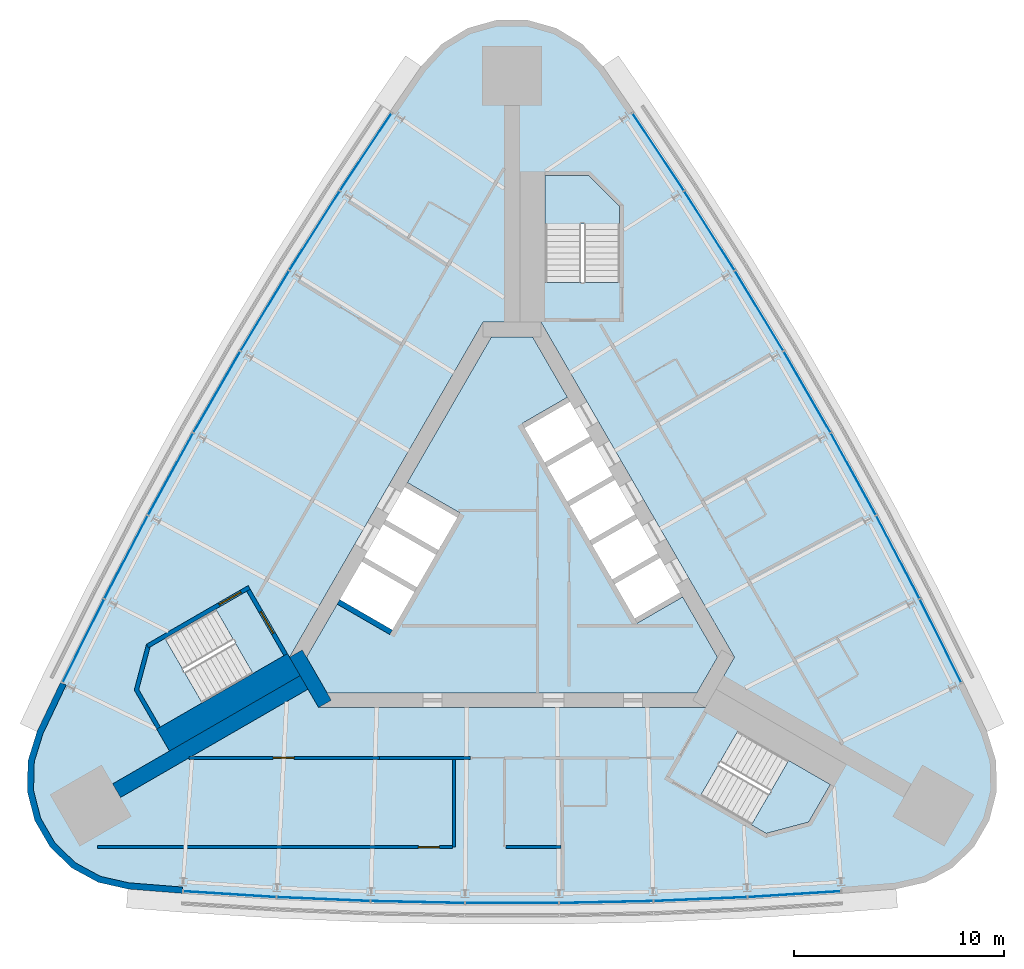
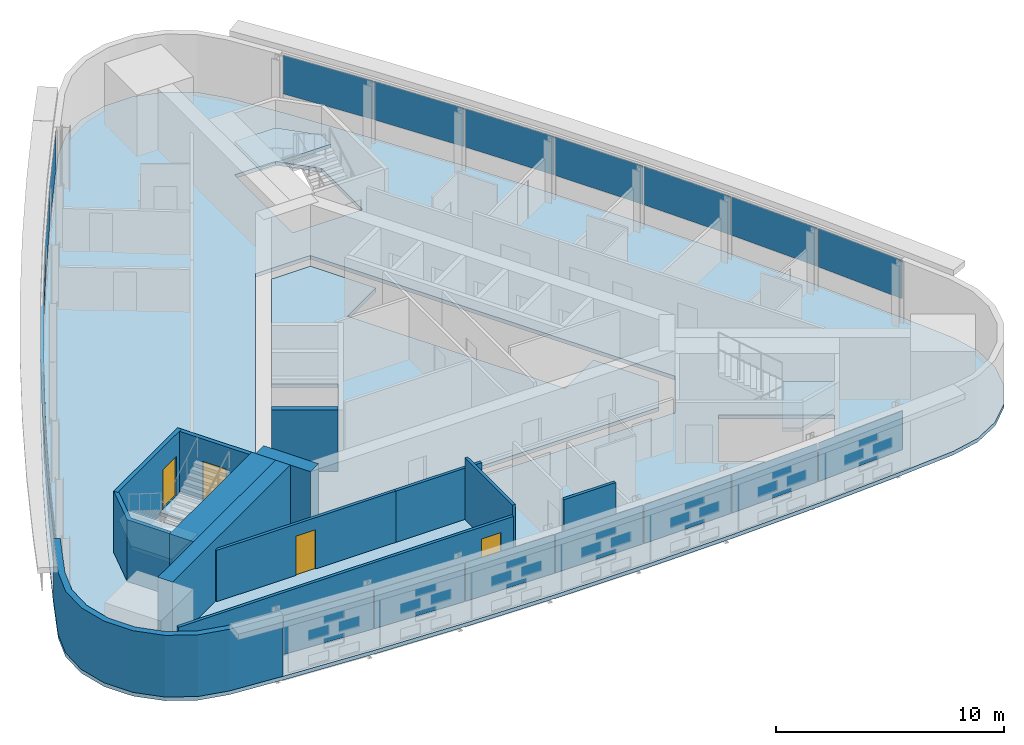
# One storey, part 7 of 12: 21 plates, 13 walls, 5 slabs, 4 doors, 4 openings, 6 elements without a shape of their own.
"""IFC4 building model written with IfcOpenShell, lengths in metres."""

from ifc_helpers import new_model, si_unit, direction, frame, frame_2d, origin, origin_2d, place, context, subcontext, project, spatial, polyline, rectangle, outline, extrude, material, layer, layer_set, type_object, element, fill, aggregate, save


model = new_model("IFC4")

# Units and contexts
model_context = context("Model", 3, precision=1e-05, world=origin(), true_north=direction((0.0, 1.0)))
body_context = subcontext(model_context, "Body", "Model", "MODEL_VIEW")
ifc_project = project(units=[si_unit("LENGTHUNIT", "METRE"), si_unit("AREAUNIT", "SQUARE_METRE"), si_unit("VOLUMEUNIT", "CUBIC_METRE"), si_unit("PLANEANGLEUNIT", "RADIAN"), si_unit("MASSUNIT", "GRAM", prefix="KILO")], contexts=[model_context])

# Site, building, storey
site_placement = place(None, origin())
site = spatial("IfcSite", under=ifc_project, at=site_placement, CompositionType="ELEMENT")
building_placement = place(site_placement, origin())
building = spatial("IfcBuilding", under=site, at=building_placement, Name="Noor Cloister Tower", CompositionType="ELEMENT")
storey_placement = place(building_placement, frame((0.0, 0.0, 165.300048828125)))
storey = spatial("IfcBuildingStorey", under=building, at=storey_placement, Name="L42", CompositionType="ELEMENT", Elevation=165.300048828125)

# Slabs
ifc_material_1 = material(Name="Concrete C40/50", Category="concrete")
ifc_layer_1 = layer(ifc_material_1, 0.199951171875)
ifc_layer_set_1 = layer_set([ifc_layer_1], Name="Core floor slab 200 C40/50")
slab_type_1 = type_object("IfcSlabType", Name="Core floor slab 200 C40/50", PredefinedType="FLOOR", material=ifc_layer_set_1)
slab_1_placement = place(storey_placement, frame((0.0, 0.0, -0.199951171875)))
element("IfcSlab", 1, at=slab_1_placement, inside=storey, type_object=slab_type_1, Name="Core floor L42", PredefinedType="FLOOR", context=body_context, shape_type="SweptSolid", body=[
    extrude(outline(polyline([(2.643798828125, 7.877197265625), (0.9814453125, 10.75634765625), (-0.9814453125, 10.75634765625), (-4.993896484375, 3.806884765625), (-2.482421875, 2.35693359375), (-5.832275390625, -3.4453125), (-8.34375, -1.995361328125), (-9.80615234375, -4.5283203125), (-8.82470703125, -6.228271484375), (8.82470703125, -6.228271484375), (9.80615234375, -4.5283203125), (8.143798828125, -1.64892578125), (5.978759765625, -2.89892578125), (0.478759765625, 6.627197265625), (2.643798828125, 7.877197265625)])), origin(), (0.0, 0.0, 1.0), 0.199951171875),
])
ifc_material_2 = material(Name="Concrete C40/50", Category="concrete")
ifc_layer_2 = layer(ifc_material_2, 0.199951171875)
ifc_layer_set_2 = layer_set([ifc_layer_2], Name="Floor slab 200 C40/50")
slab_type_2 = type_object("IfcSlabType", Name="Floor slab 200 C40/50", PredefinedType="FLOOR", material=ifc_layer_set_2)
slab_2_placement = place(storey_placement, frame((0.0, 0.0, -0.199951171875)))
element("IfcSlab", 2, at=slab_2_placement, inside=storey, type_object=slab_type_2, Name="Floor slab L42", PredefinedType="FLOOR", context=body_context, shape_type="SweptSolid", body=[
    extrude(outline(polyline([(4.335693359375, 23.665283203125), (3.3525390625, 24.728271484375), (2.11767578125, 25.484619140625), (0.72412109375, 25.87744140625), (-0.72412109375, 25.87744140625), (-2.11767578125, 25.484619140625), (-3.3525390625, 24.728271484375), (-4.335693359375, 23.665283203125), (-5.8095703125, 21.5244140625), (-8.2998046875, 17.7763671875), (-10.7109375, 13.97705078125), (-13.0419921875, 10.1279296875), (-15.2919921875, 6.23095703125), (-17.4599609375, 2.28759765625), (-19.544677734375, -1.7001953125), (-21.54541015625, -5.73095703125), (-22.66259765625, -8.077880859375), (-23.091552734375, -9.4609375), (-23.129150390625, -10.908447265625), (-22.772705078125, -12.311767578125), (-22.048583984375, -13.565673828125), (-21.011474609375, -14.576171875), (-19.739013671875, -15.267333984375), (-18.326904296875, -15.58740234375), (-15.73583984375, -15.79345703125), (-11.244873046875, -16.075927734375), (-6.748779296875, -16.264404296875), (-2.25, -16.358642578125), (2.25, -16.358642578125), (6.748779296875, -16.264404296875), (11.244873046875, -16.075927734375), (15.73583984375, -15.79345703125), (18.326904296875, -15.58740234375), (19.739013671875, -15.267333984375), (21.011474609375, -14.576171875), (22.048583984375, -13.565673828125), (22.772705078125, -12.311767578125), (23.129150390625, -10.908447265625), (23.091552734375, -9.4609375), (22.66259765625, -8.077880859375), (21.54541015625, -5.73095703125), (19.544677734375, -1.7001953125), (17.4599609375, 2.28759765625), (15.2919921875, 6.23095703125), (13.0419921875, 10.1279296875), (10.7109375, 13.97705078125), (8.2998046875, 17.7763671875), (5.8095703125, 21.5244140625), (4.335693359375, 23.665283203125)]), holes=[polyline([(8.999755859375, -11.126220703125), (12.131591796875, -12.934326171875), (14.1572265625, -12.3916015625), (15.19091796875, -10.601318359375), (10.774658203125, -8.0517578125), (8.999755859375, -11.126220703125)]), polyline([(-17.81005859375, -6.064697265625), (-16.776611328125, -7.85498046875), (-12.3603515625, -5.305419921875), (-14.13525390625, -2.23095703125), (-16.662841796875, -3.690185546875), (-17.267333984375, -4.039306640625), (-17.81005859375, -6.064697265625)]), polyline([(-10.6142578125, -4.5283203125), (-9.228759765625, -6.92822265625), (9.228759765625, -6.92822265625), (10.6142578125, -4.5283203125), (1.3857421875, 11.456298828125), (-1.3857421875, 11.456298828125), (-10.6142578125, -4.5283203125)]), polyline([(3.65283203125, 18.456298828125), (1.585693359375, 18.456298828125), (1.585693359375, 13.35693359375), (5.135498046875, 13.35693359375), (5.135498046875, 16.9736328125), (3.65283203125, 18.456298828125)])]), origin(), (0.0, 0.0, 1.0), 0.199951171875),
])

# Curtain wall, plates
ifc_material_3 = material(Name="Aluminium 6063-T6 anodised", Category="aluminium")
curtain_wall_type = type_object("IfcCurtainWallType", Name="Ribbon curtain wall, upper tower CW5", PredefinedType="NOTDEFINED", material=ifc_material_3)
curtain_wall_1_placement = place(storey_placement, origin())
curtain_wall_1 = element("IfcCurtainWall", 3, at=curtain_wall_1_placement, inside=storey, type_object=curtain_wall_type, Name="CW5 L42 NW run 1", PredefinedType="NOTDEFINED")
ifc_material_4 = material(Name="Clear laminated glass 2 x 8 mm", Category="glass")
ifc_layer_3 = layer(ifc_material_4, 0.028076171875)
ifc_layer_set_3 = layer_set([ifc_layer_3], Name="Glass panel CW5")
plate_type = type_object("IfcPlateType", Name="Glass panel CW5", PredefinedType="CURTAIN_PANEL", material=ifc_layer_set_3)
plate_1_placement = place(storey_placement, frame((-6.980712890625, 19.580810546875, 1.08984375), z_axis=(0.0, 0.0, 1.0), x_axis=(-0.553397582174, -0.832917232409, 0.0)))
plate_1 = element("IfcPlate", 4, at=plate_1_placement, type_object=plate_type, Name="CW5 glass panel 1", PredefinedType="CURTAIN_PANEL", context=body_context, shape_type="SweptSolid", body=[
    extrude(rectangle(XDim=4.413818359375, YDim=0.028076171875, at=origin_2d()), origin(), (0.0, 0.0, 1.0), 2.070068359375),
])
plate_2_placement = place(storey_placement, frame((-9.4208984375, 15.822998046875, 1.08984375), z_axis=(0.0, 0.0, 1.0), x_axis=(-0.535830876928, -0.844325335004, 0.0)))
plate_2 = element("IfcPlate", 5, at=plate_2_placement, type_object=plate_type, Name="CW5 glass panel 2", PredefinedType="CURTAIN_PANEL", context=body_context, shape_type="SweptSolid", body=[
    extrude(rectangle(XDim=4.44775390625, YDim=0.028076171875, at=origin_2d()), origin(), (0.0, 0.0, 1.0), 2.070068359375),
])
plate_3_placement = place(storey_placement, frame((-11.791015625, 12.000732421875, 1.08984375), z_axis=(0.0, 0.0, 1.0), x_axis=(-0.518029069563, -0.855363012462, 0.0)))
plate_3 = element("IfcPlate", 6, at=plate_3_placement, type_object=plate_type, Name="CW5 glass panel 3", PredefinedType="CURTAIN_PANEL", context=body_context, shape_type="SweptSolid", body=[
    extrude(rectangle(XDim=4.44775390625, YDim=0.028076171875, at=origin_2d()), origin(), (0.0, 0.0, 1.0), 2.070068359375),
])
plate_4_placement = place(storey_placement, frame((-14.08056640625, 8.12939453125, 1.08984375), z_axis=(0.0, 0.0, 1.0), x_axis=(-0.5, -0.866025403784, 0.0)))
plate_4 = element("IfcPlate", 7, at=plate_4_placement, type_object=plate_type, Name="CW5 glass panel 4", PredefinedType="CURTAIN_PANEL", context=body_context, shape_type="SweptSolid", body=[
    extrude(rectangle(XDim=4.44775390625, YDim=0.028076171875, at=origin_2d()), origin(), (0.0, 0.0, 1.0), 2.070068359375),
])
plate_5_placement = place(storey_placement, frame((-16.288330078125, 4.2109375, 1.08984375), z_axis=(0.0, 0.0, 1.0), x_axis=(-0.481751563468, -0.876307840371, 0.0)))
plate_5 = element("IfcPlate", 8, at=plate_5_placement, type_object=plate_type, Name="CW5 glass panel 5", PredefinedType="CURTAIN_PANEL", context=body_context, shape_type="SweptSolid", body=[
    extrude(rectangle(XDim=4.44775390625, YDim=0.028076171875, at=origin_2d()), origin(), (0.0, 0.0, 1.0), 2.070068359375),
])
plate_6_placement = place(storey_placement, frame((-18.41357421875, 0.247314453125, 1.08984375), z_axis=(0.0, 0.0, 1.0), x_axis=(-0.463291750708, -0.886205819054, 0.0)))
plate_6 = element("IfcPlate", 9, at=plate_6_placement, type_object=plate_type, Name="CW5 glass panel 6", PredefinedType="CURTAIN_PANEL", context=body_context, shape_type="SweptSolid", body=[
    extrude(rectangle(XDim=4.44775390625, YDim=0.028076171875, at=origin_2d()), origin(), (0.0, 0.0, 1.0), 2.070068359375),
])
plate_7_placement = place(storey_placement, frame((-20.447998046875, -3.744873046875, 1.08984375), z_axis=(0.0, 0.0, 1.0), x_axis=(-0.444628691429, -0.89571498076, 0.0)))
plate_7 = element("IfcPlate", 10, at=plate_7_placement, type_object=plate_type, Name="CW5 glass panel 7", PredefinedType="CURTAIN_PANEL", context=body_context, shape_type="SweptSolid", body=[
    extrude(rectangle(XDim=4.413818359375, YDim=0.028076171875, at=origin_2d()), origin(), (0.0, 0.0, 1.0), 2.070068359375),
])
aggregate(curtain_wall_1, [plate_1, plate_2, plate_3, plate_4, plate_5, plate_6, plate_7])

curtain_wall_2_placement = place(storey_placement, origin())
curtain_wall_2 = element("IfcCurtainWall", 11, at=curtain_wall_2_placement, inside=storey, type_object=curtain_wall_type, Name="CW5 L42 S run 2", PredefinedType="NOTDEFINED")
plate_8_placement = place(storey_placement, frame((-13.467041015625, -15.8359375, 1.08984375), z_axis=(0.0, 0.0, 1.0), x_axis=(0.998026273603, -0.062797748351, 0.0)))
plate_8 = element("IfcPlate", 12, at=plate_8_placement, type_object=plate_type, Name="CW5 glass panel 1", PredefinedType="CURTAIN_PANEL", context=body_context, shape_type="SweptSolid", body=[
    extrude(rectangle(XDim=4.413818359375, YDim=0.028076171875, at=origin_2d()), origin(), (0.0, 0.0, 1.0), 2.070068359375),
])
plate_9_placement = place(storey_placement, frame((-8.99267578125, -16.0703125, 1.08984375), z_axis=(0.0, 0.0, 1.0), x_axis=(0.999122627637, -0.04188048405, 0.0)))
plate_9 = element("IfcPlate", 13, at=plate_9_placement, type_object=plate_type, Name="CW5 glass panel 2", PredefinedType="CURTAIN_PANEL", context=body_context, shape_type="SweptSolid", body=[
    extrude(rectangle(XDim=4.44775390625, YDim=0.028076171875, at=origin_2d()), origin(), (0.0, 0.0, 1.0), 2.070068359375),
])
plate_10_placement = place(storey_placement, frame((-4.497314453125, -16.211669921875, 1.08984375), z_axis=(0.0, 0.0, 1.0), x_axis=(0.999780633031, -0.020944827909, 0.0)))
plate_10 = element("IfcPlate", 14, at=plate_10_placement, type_object=plate_type, Name="CW5 glass panel 3", PredefinedType="CURTAIN_PANEL", context=body_context, shape_type="SweptSolid", body=[
    extrude(rectangle(XDim=4.44775390625, YDim=0.028076171875, at=origin_2d()), origin(), (0.0, 0.0, 1.0), 2.070068359375),
])
plate_11_placement = place(storey_placement, frame((0.0, -16.2587890625, 1.08984375), z_axis=(0.0, 0.0, 1.0), x_axis=(1.0, 0.0, 0.0)))
plate_11 = element("IfcPlate", 15, at=plate_11_placement, type_object=plate_type, Name="CW5 glass panel 4", PredefinedType="CURTAIN_PANEL", context=body_context, shape_type="SweptSolid", body=[
    extrude(rectangle(XDim=4.44775390625, YDim=0.028076171875, at=origin_2d()), origin(), (0.0, 0.0, 1.0), 2.070068359375),
])
plate_12_placement = place(storey_placement, frame((4.497314453125, -16.211669921875, 1.08984375), z_axis=(0.0, 0.0, 1.0), x_axis=(0.999780633031, 0.020944827909, 0.0)))
plate_12 = element("IfcPlate", 16, at=plate_12_placement, type_object=plate_type, Name="CW5 glass panel 5", PredefinedType="CURTAIN_PANEL", context=body_context, shape_type="SweptSolid", body=[
    extrude(rectangle(XDim=4.44775390625, YDim=0.028076171875, at=origin_2d()), origin(), (0.0, 0.0, 1.0), 2.070068359375),
])
plate_13_placement = place(storey_placement, frame((8.99267578125, -16.0703125, 1.08984375), z_axis=(0.0, 0.0, 1.0), x_axis=(0.999122627637, 0.04188048405, 0.0)))
plate_13 = element("IfcPlate", 17, at=plate_13_placement, type_object=plate_type, Name="CW5 glass panel 6", PredefinedType="CURTAIN_PANEL", context=body_context, shape_type="SweptSolid", body=[
    extrude(rectangle(XDim=4.44775390625, YDim=0.028076171875, at=origin_2d()), origin(), (0.0, 0.0, 1.0), 2.070068359375),
])
plate_14_placement = place(storey_placement, frame((13.467041015625, -15.8359375, 1.08984375), z_axis=(0.0, 0.0, 1.0), x_axis=(0.998026273603, 0.062797748351, 0.0)))
plate_14 = element("IfcPlate", 18, at=plate_14_placement, type_object=plate_type, Name="CW5 glass panel 7", PredefinedType="CURTAIN_PANEL", context=body_context, shape_type="SweptSolid", body=[
    extrude(rectangle(XDim=4.413818359375, YDim=0.028076171875, at=origin_2d()), origin(), (0.0, 0.0, 1.0), 2.070068359375),
])
aggregate(curtain_wall_2, [plate_8, plate_9, plate_10, plate_11, plate_12, plate_13, plate_14])

curtain_wall_3_placement = place(storey_placement, origin())
curtain_wall_3 = element("IfcCurtainWall", 19, at=curtain_wall_3_placement, inside=storey, type_object=curtain_wall_type, Name="CW5 L42 NE run 3", PredefinedType="NOTDEFINED")
plate_15_placement = place(storey_placement, frame((20.447998046875, -3.744873046875, 1.08984375), z_axis=(0.0, 0.0, 1.0), x_axis=(-0.444628691429, 0.89571498076, 0.0)))
plate_15 = element("IfcPlate", 20, at=plate_15_placement, type_object=plate_type, Name="CW5 glass panel 1", PredefinedType="CURTAIN_PANEL", context=body_context, shape_type="SweptSolid", body=[
    extrude(rectangle(XDim=4.413818359375, YDim=0.028076171875, at=origin_2d()), origin(), (0.0, 0.0, 1.0), 2.070068359375),
])
plate_16_placement = place(storey_placement, frame((18.41357421875, 0.247314453125, 1.08984375), z_axis=(0.0, 0.0, 1.0), x_axis=(-0.463291750708, 0.886205819054, 0.0)))
plate_16 = element("IfcPlate", 21, at=plate_16_placement, type_object=plate_type, Name="CW5 glass panel 2", PredefinedType="CURTAIN_PANEL", context=body_context, shape_type="SweptSolid", body=[
    extrude(rectangle(XDim=4.44775390625, YDim=0.028076171875, at=origin_2d()), origin(), (0.0, 0.0, 1.0), 2.070068359375),
])
plate_17_placement = place(storey_placement, frame((16.288330078125, 4.2109375, 1.08984375), z_axis=(0.0, 0.0, 1.0), x_axis=(-0.481751563468, 0.876307840371, 0.0)))
plate_17 = element("IfcPlate", 22, at=plate_17_placement, type_object=plate_type, Name="CW5 glass panel 3", PredefinedType="CURTAIN_PANEL", context=body_context, shape_type="SweptSolid", body=[
    extrude(rectangle(XDim=4.44775390625, YDim=0.028076171875, at=origin_2d()), origin(), (0.0, 0.0, 1.0), 2.070068359375),
])
plate_18_placement = place(storey_placement, frame((14.08056640625, 8.12939453125, 1.08984375), z_axis=(0.0, 0.0, 1.0), x_axis=(-0.5, 0.866025403784, 0.0)))
plate_18 = element("IfcPlate", 23, at=plate_18_placement, type_object=plate_type, Name="CW5 glass panel 4", PredefinedType="CURTAIN_PANEL", context=body_context, shape_type="SweptSolid", body=[
    extrude(rectangle(XDim=4.44775390625, YDim=0.028076171875, at=origin_2d()), origin(), (0.0, 0.0, 1.0), 2.070068359375),
])
plate_19_placement = place(storey_placement, frame((11.791015625, 12.000732421875, 1.08984375), z_axis=(0.0, 0.0, 1.0), x_axis=(-0.518029069563, 0.855363012462, 0.0)))
plate_19 = element("IfcPlate", 24, at=plate_19_placement, type_object=plate_type, Name="CW5 glass panel 5", PredefinedType="CURTAIN_PANEL", context=body_context, shape_type="SweptSolid", body=[
    extrude(rectangle(XDim=4.44775390625, YDim=0.028076171875, at=origin_2d()), origin(), (0.0, 0.0, 1.0), 2.070068359375),
])
plate_20_placement = place(storey_placement, frame((9.4208984375, 15.822998046875, 1.08984375), z_axis=(0.0, 0.0, 1.0), x_axis=(-0.535830876928, 0.844325335004, 0.0)))
plate_20 = element("IfcPlate", 25, at=plate_20_placement, type_object=plate_type, Name="CW5 glass panel 6", PredefinedType="CURTAIN_PANEL", context=body_context, shape_type="SweptSolid", body=[
    extrude(rectangle(XDim=4.44775390625, YDim=0.028076171875, at=origin_2d()), origin(), (0.0, 0.0, 1.0), 2.070068359375),
])
plate_21_placement = place(storey_placement, frame((6.980712890625, 19.580810546875, 1.08984375), z_axis=(0.0, 0.0, 1.0), x_axis=(-0.553397582174, 0.832917232409, 0.0)))
plate_21 = element("IfcPlate", 26, at=plate_21_placement, type_object=plate_type, Name="CW5 glass panel 7", PredefinedType="CURTAIN_PANEL", context=body_context, shape_type="SweptSolid", body=[
    extrude(rectangle(XDim=4.413818359375, YDim=0.028076171875, at=origin_2d()), origin(), (0.0, 0.0, 1.0), 2.070068359375),
])
aggregate(curtain_wall_3, [plate_15, plate_16, plate_17, plate_18, plate_19, plate_20, plate_21])

# Stair, slab
ifc_material_5 = material(Name="Concrete C40/50", Category="concrete")
stair_type = type_object("IfcStairType", Name="Exit stair 22 risers", PredefinedType="HALF_TURN_STAIR", material=ifc_material_5)
stair_1_placement = place(storey_placement, origin())
stair_1 = element("IfcStair", 27, at=stair_1_placement, inside=storey, type_object=stair_type, Name="Exit stair ST1 L42", PredefinedType="HALF_TURN_STAIR")
ifc_material_6 = material(Name="Concrete C40/50", Category="concrete")
ifc_layer_4 = layer(ifc_material_6, 0.199951171875)
ifc_layer_set_4 = layer_set([ifc_layer_4], Name="Stair landing 200 C40/50")
slab_type_3 = type_object("IfcSlabType", Name="Stair landing 200 C40/50", PredefinedType="LANDING", material=ifc_layer_set_4)
slab_3_placement = place(storey_placement, frame((0.0, 0.0, 1.599853515625)))
slab_3 = element("IfcSlab", 28, at=slab_3_placement, type_object=slab_type_3, Name="ST1 landing 1", PredefinedType="LANDING", context=body_context, shape_type="SweptSolid", body=[
    extrude(outline(polyline([(5.135498046875, 16.15576171875), (5.135498046875, 16.9736328125), (3.65283203125, 18.456298828125), (1.585693359375, 18.456298828125), (1.585693359375, 16.15576171875), (5.135498046875, 16.15576171875)])), origin(), (0.0, 0.0, 1.0), 0.2001953125),
])
aggregate(stair_1, [slab_3])

stair_2_placement = place(storey_placement, origin())
stair_2 = element("IfcStair", 29, at=stair_2_placement, inside=storey, type_object=stair_type, Name="Exit stair ST2 L42", PredefinedType="HALF_TURN_STAIR")
slab_4_placement = place(storey_placement, frame((0.0, 0.0, 1.599853515625)))
slab_4 = element("IfcSlab", 30, at=slab_4_placement, type_object=slab_type_3, Name="ST2 landing 1", PredefinedType="LANDING", context=body_context, shape_type="SweptSolid", body=[
    extrude(outline(polyline([(-16.55908203125, -3.63037109375), (-17.267333984375, -4.039306640625), (-17.81005859375, -6.064697265625), (-16.776611328125, -7.85498046875), (-14.7841796875, -6.70458984375), (-16.55908203125, -3.63037109375)])), origin(), (0.0, 0.0, 1.0), 0.2001953125),
])
aggregate(stair_2, [slab_4])

stair_3_placement = place(storey_placement, origin())
stair_3 = element("IfcStair", 31, at=stair_3_placement, inside=storey, type_object=stair_type, Name="Exit stair ST3 L42", PredefinedType="HALF_TURN_STAIR")
slab_5_placement = place(storey_placement, frame((0.0, 0.0, 1.599853515625)))
slab_5 = element("IfcSlab", 32, at=slab_5_placement, type_object=slab_type_3, Name="ST3 landing 1", PredefinedType="LANDING", context=body_context, shape_type="SweptSolid", body=[
    extrude(outline(polyline([(11.423583984375, -12.525390625), (12.131591796875, -12.934326171875), (14.1572265625, -12.3916015625), (15.19091796875, -10.601318359375), (13.198486328125, -9.451171875), (11.423583984375, -12.525390625)])), origin(), (0.0, 0.0, 1.0), 0.2001953125),
])
aggregate(stair_3, [slab_5])

# Walls
ifc_material_7 = material(Name="Concrete C70/85", Category="concrete")
ifc_layer_5 = layer(ifc_material_7, 0.75)
ifc_layer_set_5 = layer_set([ifc_layer_5], Name="Buttress wall 750 C70/85")
wall_type_1 = type_object("IfcWallType", Name="Buttress wall 750 C70/85", PredefinedType="SHEAR", material=ifc_layer_set_5)
wall_1_placement = place(storey_placement, frame((-9.921630859375, -5.728271484375, -0.199951171875), z_axis=(0.0, 0.0, 1.0), x_axis=(-0.866025410072, -0.499999989109, 0.0)))
element("IfcWall", 33, at=wall_1_placement, inside=storey, type_object=wall_type_1, Name="Buttress wall SW L42", PredefinedType="SHEAR", context=body_context, shape_type="SweptSolid", body=[
    extrude(rectangle(XDim=10.33056640625, YDim=0.75, at=frame_2d((5.165283203125, 0.0))), origin(), (0.0, 0.0, 1.0), 3.5),
])
ifc_material_8 = material(Name="Concrete C70/85", Category="concrete")
ifc_layer_6 = layer(ifc_material_8, 0.699951171875)
ifc_layer_set_6 = layer_set([ifc_layer_6], Name="Core wall 700 C70/85")
wall_type_2 = type_object("IfcWallType", Name="Core wall 700 C70/85", PredefinedType="SHEAR", material=ifc_layer_set_6)
wall_2_placement = place(storey_placement, frame((-10.311279296875, -4.353271484375, -0.199951171875), z_axis=(0.0, 0.0, 1.0), x_axis=(0.500042739161, -0.866000726912, 0.0)))
element("IfcWall", 34, at=wall_2_placement, inside=storey, type_object=wall_type_2, Name="Core wall L42 6", PredefinedType="SHEAR", context=body_context, shape_type="SweptSolid", body=[
    extrude(rectangle(XDim=2.771240234375, YDim=0.699951171875, at=frame_2d((1.3857421875, 0.0))), origin(), (0.0, 0.0, 1.0), 3.5),
])

# Wall, opening, door
ifc_material_9 = material(Name="Gypsum board partition on steel studs, 150 mm", Category="steel")
ifc_layer_7 = layer(ifc_material_9, 0.14990234375)
ifc_layer_set_7 = layer_set([ifc_layer_7], Name="Flat wall 150")
wall_type_3 = type_object("IfcWallType", Name="Flat wall 150", PredefinedType="PARTITIONING", material=ifc_layer_set_7)
wall_3_placement = place(storey_placement, frame((-15.406982421875, -9.328125, 0.0), z_axis=(0.0, 0.0, 1.0), x_axis=(1.0, 0.0, 0.0)))
wall_3 = element("IfcWall", 35, at=wall_3_placement, inside=storey, type_object=wall_type_3, Name="Wall L42-W14", PredefinedType="PARTITIONING", context=body_context, shape_type="SweptSolid", body=[
    extrude(rectangle(XDim=9.076171875, YDim=0.14990234375, at=frame_2d((4.5380859375, 0.0))), origin(), (0.0, 0.0, 1.0), 2.7470703125),
])
opening_1_placement = place(wall_3_placement, frame((4.01318359375, 0.0, 0.0)))
opening_1 = element("IfcOpeningElement", 36, at=opening_1_placement, cuts=wall_3, Name="Opening L42-011", PredefinedType="OPENING", context=body_context, shape_type="SweptSolid", body=[
    extrude(rectangle(XDim=1.0, YDim=2.10009765625, at=frame_2d((0.5, 1.050048828125))), frame((0.0, 0.0849609375, 0.0), z_axis=(0.0, -1.0, 0.0), x_axis=(1.0, 0.0, 0.0)), (0.0, 0.0, 1.0), 0.169921875),
])
ifc_material_10 = material(Name="Timber door leaf with steel frame", Category="steel")
door_type_1 = type_object("IfcDoorType", Name="Interior door 1000 FD60", OperationType="NOTDEFINED", PredefinedType="DOOR", material=ifc_material_10)
door_1_placement = place(opening_1_placement, origin())
door_1 = element("IfcDoor", 37, at=door_1_placement, inside=storey, type_object=door_type_1, Name="Door L42-011", OperationType="SINGLE_SWING_LEFT", OverallHeight=2.10009765625, OverallWidth=1.0, PredefinedType="DOOR", context=body_context, shape_type="SweptSolid", body=[
    extrude(rectangle(XDim=1.0, YDim=2.10009765625, at=frame_2d((0.5, 1.050048828125))), frame((0.0, 0.02490234375, 0.0), z_axis=(0.0, -1.0, 0.0), x_axis=(1.0, 0.0, 0.0)), (0.0, 0.0, 1.0), 0.050048828125),
])
fill(opening_1, door_1)

# Walls
wall_4_placement = place(storey_placement, frame((-6.330810546875, -9.328125, 0.0), z_axis=(0.0, 0.0, 1.0), x_axis=(1.0, 0.0, 0.0)))
element("IfcWall", 38, at=wall_4_placement, inside=storey, type_object=wall_type_3, Name="Wall L42-W16", PredefinedType="PARTITIONING", context=body_context, shape_type="SweptSolid", body=[
    extrude(rectangle(XDim=4.3544921875, YDim=0.14990234375, at=frame_2d((2.17724609375, 0.0))), origin(), (0.0, 0.0, 1.0), 2.7470703125),
])
wall_5_placement = place(storey_placement, frame((-2.76171875, -9.4033203125, 0.0), z_axis=(0.0, 0.0, 1.0), x_axis=(0.0, -1.0, 0.0)))
element("IfcWall", 39, at=wall_5_placement, inside=storey, type_object=wall_type_3, Name="Wall L42-W18", PredefinedType="PARTITIONING", context=body_context, shape_type="SweptSolid", body=[
    extrude(rectangle(XDim=4.18310546875, YDim=0.14990234375, at=frame_2d((2.091552734375, 0.0))), origin(), (0.0, 0.0, 1.0), 3.300048828125),
])

# Wall, opening, door
wall_6_placement = place(storey_placement, frame((-19.782470703125, -13.58642578125, 0.0), z_axis=(0.0, 0.0, 1.0), x_axis=(1.0, 0.0, 0.0)))
wall_6 = element("IfcWall", 40, at=wall_6_placement, inside=storey, type_object=wall_type_3, Name="Wall L42-W20", PredefinedType="PARTITIONING", context=body_context, shape_type="SweptSolid", body=[
    extrude(rectangle(XDim=16.94580078125, YDim=0.14990234375, at=frame_2d((8.472900390625, 0.0))), origin(), (0.0, 0.0, 1.0), 2.7470703125),
])
opening_2_placement = place(wall_6_placement, frame((15.32080078125, 0.0, 0.0)))
opening_2 = element("IfcOpeningElement", 41, at=opening_2_placement, cuts=wall_6, Name="Opening L42-010", PredefinedType="OPENING", context=body_context, shape_type="SweptSolid", body=[
    extrude(rectangle(XDim=1.0, YDim=2.10009765625, at=frame_2d((0.5, 1.050048828125))), frame((0.0, 0.0849609375, 0.0), z_axis=(0.0, -1.0, 0.0), x_axis=(1.0, 0.0, 0.0)), (0.0, 0.0, 1.0), 0.169921875),
])
door_2_placement = place(opening_2_placement, origin())
door_2 = element("IfcDoor", 42, at=door_2_placement, inside=storey, type_object=door_type_1, Name="Door L42-010", OperationType="SINGLE_SWING_RIGHT", OverallHeight=2.10009765625, OverallWidth=1.0, PredefinedType="DOOR", context=body_context, shape_type="SweptSolid", body=[
    extrude(rectangle(XDim=1.0, YDim=2.10009765625, at=frame_2d((0.5, 1.050048828125))), frame((0.0, 0.02490234375, 0.0), z_axis=(0.0, -1.0, 0.0), x_axis=(1.0, 0.0, 0.0)), (0.0, 0.0, 1.0), 0.050048828125),
])
fill(opening_2, door_2)

# Walls
wall_7_placement = place(storey_placement, frame((-0.28662109375, -13.58642578125, 0.0), z_axis=(0.0, 0.0, 1.0), x_axis=(1.0, 0.0, 0.0)))
element("IfcWall", 43, at=wall_7_placement, inside=storey, type_object=wall_type_3, Name="Wall L42-W21", PredefinedType="PARTITIONING", context=body_context, shape_type="SweptSolid", body=[
    extrude(rectangle(XDim=2.632568359375, YDim=0.14990234375, at=frame_2d((1.31640625, 0.0))), origin(), (0.0, 0.0, 1.0), 2.7470703125),
])
ifc_material_11 = material(Name="Limestone", Category="masonry")
ifc_layer_8 = layer(ifc_material_11, 0.300048828125)
ifc_layer_set_8 = layer_set([ifc_layer_8], Name="Limestone cladding 300")
wall_type_4 = type_object("IfcWallType", Name="Limestone cladding 300", PredefinedType="NOTDEFINED", material=ifc_layer_set_8)
wall_8_placement = place(storey_placement, origin())
element("IfcWall", 44, at=wall_8_placement, inside=storey, type_object=wall_type_4, Name="Limestone pier cladding L42 1.1", PredefinedType="NOTDEFINED", context=body_context, shape_type="SweptSolid", body=[
    extrude(outline(polyline([(-21.54541015625, -5.73095703125), (-22.66259765625, -8.077880859375), (-23.091552734375, -9.4609375), (-23.129150390625, -10.908447265625), (-22.772705078125, -12.311767578125), (-22.048583984375, -13.565673828125), (-21.011474609375, -14.576171875), (-19.739013671875, -15.267333984375), (-18.326904296875, -15.58740234375), (-15.73583984375, -15.79345703125), (-15.712158203125, -15.494384765625), (-18.281494140625, -15.2900390625), (-19.63232421875, -14.984130859375), (-20.831787109375, -14.33251953125), (-21.8095703125, -13.3798828125), (-22.491943359375, -12.19775390625), (-22.828125, -10.874755859375), (-22.792724609375, -9.510009765625), (-22.38232421875, -8.187255859375), (-21.274658203125, -5.85986328125), (-21.54541015625, -5.73095703125)])), origin(), (0.0, 0.0, 1.0), 3.300048828125),
])
ifc_material_12 = material(Name="Concrete C70/85", Category="concrete")
ifc_layer_9 = layer(ifc_material_12, 0.25)
ifc_layer_set_9 = layer_set([ifc_layer_9], Name="Shaft wall 250 C70/85")
wall_type_5 = type_object("IfcWallType", Name="Shaft wall 250 C70/85", PredefinedType="PARTITIONING", material=ifc_layer_set_9)
wall_9_placement = place(storey_placement, frame((-8.28125, -1.88720703125, -0.199951171875), z_axis=(0.0, 0.0, 1.0), x_axis=(0.866032775405, -0.499987231761, 0.0)))
element("IfcWall", 45, at=wall_9_placement, inside=storey, type_object=wall_type_5, Name="Lift shaft wall L42 NW 6", PredefinedType="PARTITIONING", context=body_context, shape_type="SweptSolid", body=[
    extrude(rectangle(XDim=2.89990234375, YDim=0.25, at=frame_2d((1.449951171875, 0.0))), origin(), (0.0, 0.0, 1.0), 3.5),
])
ifc_material_13 = material(Name="Concrete C70/85", Category="concrete")
ifc_layer_10 = layer(ifc_material_13, 1.2109375)
ifc_layer_set_10 = layer_set([ifc_layer_10], Name="Stair enclosure wall 1211 C70/85")
wall_type_6 = type_object("IfcWallType", Name="Stair enclosure wall 1211 C70/85", PredefinedType="SHEAR", material=ifc_layer_set_10)
wall_10_placement = place(storey_placement, frame((-10.41162109375, -4.879150390625, -0.199951171875), z_axis=(0.0, 0.0, 1.0), x_axis=(-0.866026919366, -0.499997374926, 0.0)))
element("IfcWall", 46, at=wall_10_placement, inside=storey, type_object=wall_type_6, Name="Stair enclosure wall ST2 L42 riser side", PredefinedType="SHEAR", context=body_context, shape_type="SweptSolid", body=[
    extrude(rectangle(XDim=7.2001953125, YDim=1.210693359375, at=frame_2d((3.60009765625, 0.0))), origin(), (0.0, 0.0, 1.0), 3.5),
])

# Wall, opening, door
ifc_material_14 = material(Name="Concrete C70/85", Category="concrete")
ifc_layer_11 = layer(ifc_material_14, 0.199951171875)
ifc_layer_set_11 = layer_set([ifc_layer_11], Name="Stair enclosure wall 200 C70/85")
wall_type_7 = type_object("IfcWallType", Name="Stair enclosure wall 200 C70/85", PredefinedType="SHEAR", material=ifc_layer_set_11)
wall_11_placement = place(storey_placement, frame((-12.575927734375, -1.33056640625, -0.199951171875), z_axis=(0.0, 0.0, 1.0), x_axis=(0.499970499736, -0.8660424351, 0.0)))
wall_11 = element("IfcWall", 47, at=wall_11_placement, inside=storey, type_object=wall_type_7, Name="Stair enclosure wall ST2 L42 near end", PredefinedType="SHEAR", context=body_context, shape_type="SweptSolid", body=[
    extrude(rectangle(XDim=3.550048828125, YDim=0.199951171875, at=frame_2d((1.77490234375, 0.0))), origin(), (0.0, 0.0, 1.0), 3.5),
])
opening_3_placement = place(wall_11_placement, frame((1.175048828125, 0.0, 0.199951171875)))
opening_3 = element("IfcOpeningElement", 48, at=opening_3_placement, cuts=wall_11, Name="Opening L42-ST2L", PredefinedType="OPENING", context=body_context, shape_type="SweptSolid", body=[
    extrude(rectangle(XDim=1.199951171875, YDim=2.10009765625, at=frame_2d((0.60009765625, 1.050048828125))), frame((0.0, 0.10986328125, 0.0), z_axis=(0.0, -1.0, 0.0), x_axis=(1.0, 0.0, 0.0)), (0.0, 0.0, 1.0), 0.219970703125),
])
ifc_material_15 = material(Name="Steel", Category="steel")
door_type_2 = type_object("IfcDoorType", Name="Stair door 1200 x 2100 FD120", OperationType="SINGLE_SWING_LEFT", PredefinedType="DOOR", material=ifc_material_15)
door_3_placement = place(opening_3_placement, origin())
door_3 = element("IfcDoor", 49, at=door_3_placement, inside=storey, type_object=door_type_2, Name="Stair door ST2 L42", OperationType="SINGLE_SWING_RIGHT", OverallHeight=2.10009765625, OverallWidth=1.199951171875, PredefinedType="DOOR", context=body_context, shape_type="SweptSolid", body=[
    extrude(rectangle(XDim=1.199951171875, YDim=2.10009765625, at=frame_2d((0.60009765625, 1.050048828125))), frame((0.0, 0.02490234375, 0.0), z_axis=(0.0, -1.0, 0.0), x_axis=(1.0, 0.0, 0.0)), (0.0, 0.0, 1.0), 0.050048828125),
])
fill(opening_3, door_3)

wall_12_placement = place(storey_placement, frame((-12.539306640625, -1.194091796875, -0.199951171875), z_axis=(0.0, 0.0, 1.0), x_axis=(-0.866045472092, -0.499965239061, 0.0)))
wall_12 = element("IfcWall", 50, at=wall_12_placement, inside=storey, type_object=wall_type_7, Name="Stair enclosure wall ST2 L42 outer side", PredefinedType="SHEAR", context=body_context, shape_type="SweptSolid", body=[
    extrude(rectangle(XDim=5.60009765625, YDim=0.199951171875, at=frame_2d((2.800048828125, 0.0))), origin(), (0.0, 0.0, 1.0), 3.5),
])
opening_4_placement = place(wall_12_placement, frame((0.449951171875, 0.0, 0.199951171875)))
opening_4 = element("IfcOpeningElement", 51, at=opening_4_placement, cuts=wall_12, Name="Opening L42-ST2C", PredefinedType="OPENING", context=body_context, shape_type="SweptSolid", body=[
    extrude(rectangle(XDim=1.199951171875, YDim=2.10009765625, at=frame_2d((0.60009765625, 1.050048828125))), frame((0.0, 0.10986328125, 0.0), z_axis=(0.0, -1.0, 0.0), x_axis=(1.0, 0.0, 0.0)), (0.0, 0.0, 1.0), 0.219970703125),
])
door_4_placement = place(opening_4_placement, origin())
door_4 = element("IfcDoor", 52, at=door_4_placement, inside=storey, type_object=door_type_2, Name="Stair door ST2 L42", OperationType="SINGLE_SWING_LEFT", OverallHeight=2.10009765625, OverallWidth=1.199951171875, PredefinedType="DOOR", context=body_context, shape_type="SweptSolid", body=[
    extrude(rectangle(XDim=1.199951171875, YDim=2.10009765625, at=frame_2d((0.60009765625, 1.050048828125))), frame((0.0, 0.02490234375, 0.0), z_axis=(0.0, -1.0, 0.0), x_axis=(1.0, 0.0, 0.0)), (0.0, 0.0, 1.0), 0.050048828125),
])
fill(opening_4, door_4)

# Wall
ifc_material_16 = material(Name="Concrete C70/85", Category="concrete")
wall_type_8 = type_object("IfcWallType", Name="Stair far end wall C70/85", PredefinedType="SHEAR", material=ifc_material_16)
wall_13_placement = place(storey_placement, frame((0.0, 0.0, -0.199951171875)))
element("IfcWall", 53, at=wall_13_placement, inside=storey, type_object=wall_type_8, Name="Stair enclosure wall ST2 L42 far end", PredefinedType="SHEAR", context=body_context, shape_type="SweptSolid", body=[
    extrude(outline(polyline([(-17.439208984375, -3.907470703125), (-18.024658203125, -6.093017578125), (-16.94970703125, -7.955078125), (-16.776611328125, -7.85498046875), (-17.81005859375, -6.064697265625), (-17.267333984375, -4.039306640625), (-17.339111328125, -4.08056640625), (-17.339111328125, -4.08056640625), (-17.339111328125, -4.08056640625), (-17.339111328125, -4.08056640625), (-17.339111328125, -4.08056640625), (-17.339111328125, -4.08056640625), (-17.339111328125, -4.08056640625), (-17.339111328125, -4.08056640625), (-17.339111328125, -4.08056640625), (-17.339111328125, -4.08056640625), (-17.339111328125, -4.08056640625), (-17.339111328125, -4.08056640625), (-17.339111328125, -4.08056640625), (-17.339111328125, -4.08056640625), (-17.339111328125, -4.08056640625), (-17.339111328125, -4.08056640625), (-17.339111328125, -4.08056640625), (-17.439208984375, -3.907470703125)])), origin(), (0.0, 0.0, 1.0), 3.5),
])

save(model, "model.ifc")
